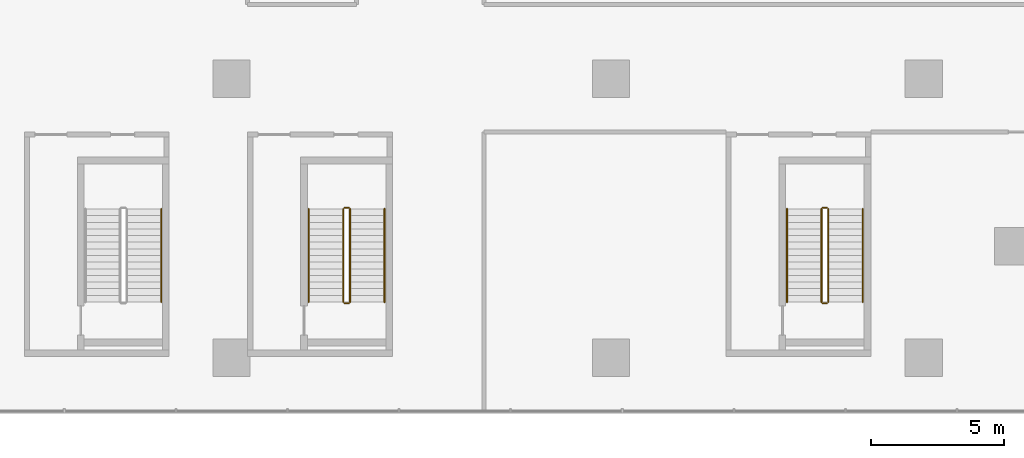
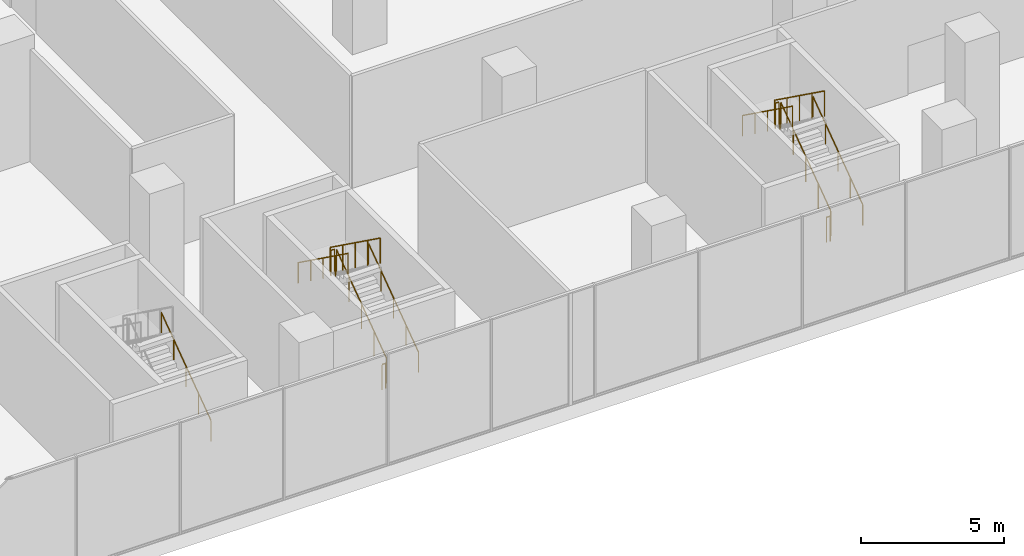
# One storey, part 21 of 24: 13 railings.
"""IFC4 building model written with IfcOpenShell, lengths in metres."""

from ifc_helpers import new_model, si_unit, direction, frame, origin, origin_2d, place, context, subcontext, project, spatial, circle, extrude, source, transform, mapped, material, type_object, element, save


model = new_model("IFC4")

# Units and contexts
model_context = context("Model", 3, precision=1e-05, world=origin(), true_north=direction((0.0, 1.0)))
body_context = subcontext(model_context, "Body", "Model", "MODEL_VIEW")
ifc_project = project(units=[si_unit("LENGTHUNIT", "METRE"), si_unit("AREAUNIT", "SQUARE_METRE"), si_unit("VOLUMEUNIT", "CUBIC_METRE"), si_unit("PLANEANGLEUNIT", "RADIAN"), si_unit("MASSUNIT", "GRAM", prefix="KILO")], contexts=[model_context])

# Site, building, storey
site_placement = place(None, origin())
site = spatial("IfcSite", under=ifc_project, at=site_placement, CompositionType="ELEMENT")
building_placement = place(site_placement, origin())
building = spatial("IfcBuilding", under=site, at=building_placement, Name="Aurelian Terraces", CompositionType="ELEMENT")
storey_placement = place(building_placement, frame((0.0, 0.0, 12.9)))
storey = spatial("IfcBuildingStorey", under=building, at=storey_placement, Name="L02", CompositionType="ELEMENT", Elevation=12.9)

# Railings
ifc_material = material(Name="Stainless steel", Category="steel")
railing_type_1 = type_object("IfcRailingType", Name="Stair guard 1100", PredefinedType="GUARDRAIL", material=ifc_material)
shared_shape_1 = source(origin(), body_context, "Body", "SweptSolid", [
    extrude(circle(Radius=0.024, at=origin_2d()), frame((0.0, 0.0, 1.076), z_axis=(-1.0, 0.0, 0.0), x_axis=(0.0, -1.0, 0.0)), (0.0, 0.0, 1.0), 0.15),
    extrude(circle(Radius=0.021, at=origin_2d()), origin(), (0.0, 0.0, 1.0), 1.052),
    extrude(circle(Radius=0.021, at=origin_2d()), frame((-0.15, 0.0, 0.0)), (0.0, 0.0, 1.0), 1.052),
])
for number, where, name in (
    (1, (42.2, 5.65, 2.7), "L02 S2 stair guard 2"),
    (2, (42.2, 2.05, 0.0), "L02 S2 stair guard 4"),
    (3, (60.2, 5.65, 2.7), "L02 S6 stair guard 2"),
    (4, (60.2, 2.05, 0.0), "L02 S6 stair guard 4"),
):
    element("IfcRailing", number, at=place(storey_placement, frame(where)), inside=storey, type_object=railing_type_1, Name=name, PredefinedType="GUARDRAIL", context=body_context, shape_type="MappedRepresentation", body=[
        mapped(shared_shape_1, transform((0.0, 0.0, 0.0), scale=1.0)),
    ])
shared_shape_2 = source(origin(), body_context, "Body", "SweptSolid", [
    extrude(circle(Radius=0.024, at=origin_2d()), frame((0.0, 0.0, 1.076), z_axis=(0.0, 0.811534341451, 0.584304725845), x_axis=(-1.0, 0.0, 0.0)), (0.0, 0.0, 1.0), 4.3128),
    extrude(circle(Radius=0.021, at=origin_2d()), origin(), (0.0, 0.0, 1.0), 1.052),
    extrude(circle(Radius=0.021, at=origin_2d()), frame((0.0, 0.875, 0.63)), (0.0, 0.0, 1.0), 1.052),
    extrude(circle(Radius=0.021, at=origin_2d()), frame((0.0, 1.75, 1.26)), (0.0, 0.0, 1.0), 1.052),
    extrude(circle(Radius=0.021, at=origin_2d()), frame((0.0, 2.625, 1.89)), (0.0, 0.0, 1.0), 1.052),
    extrude(circle(Radius=0.021, at=origin_2d()), frame((0.0, 3.5, 2.52)), (0.0, 0.0, 1.0), 1.052),
])
for number, where, name in (
    (5, (42.25, 2.1, 0.18), "L02 S2 stair guard 1"),
    (6, (60.25, 2.1, 0.18), "L02 S6 stair guard 1"),
):
    element("IfcRailing", number, at=place(storey_placement, frame(where)), inside=storey, type_object=railing_type_1, Name=name, PredefinedType="GUARDRAIL", context=body_context, shape_type="MappedRepresentation", body=[
        mapped(shared_shape_2, transform((0.0, 0.0, 0.0), scale=1.0)),
    ])
shared_shape_3 = source(origin(), body_context, "Body", "SweptSolid", [
    extrude(circle(Radius=0.024, at=origin_2d()), frame((0.0, 0.0, 1.076), z_axis=(0.0, -0.811534341451, 0.584304725845), x_axis=(1.0, 0.0, 0.0)), (0.0, 0.0, 1.0), 4.3128),
    extrude(circle(Radius=0.021, at=origin_2d()), origin(), (0.0, 0.0, 1.0), 1.052),
    extrude(circle(Radius=0.021, at=origin_2d()), frame((0.0, -0.875, 0.63)), (0.0, 0.0, 1.0), 1.052),
    extrude(circle(Radius=0.021, at=origin_2d()), frame((0.0, -1.75, 1.26)), (0.0, 0.0, 1.0), 1.052),
    extrude(circle(Radius=0.021, at=origin_2d()), frame((0.0, -2.625, 1.89)), (0.0, 0.0, 1.0), 1.052),
    extrude(circle(Radius=0.021, at=origin_2d()), frame((0.0, -3.5, 2.52)), (0.0, 0.0, 1.0), 1.052),
])
for number, where, name in (
    (7, (42.0, 5.6, 2.88), "L02 S2 stair guard 3"),
    (8, (60.0, 5.6, 2.88), "L02 S6 stair guard 3"),
):
    element("IfcRailing", number, at=place(storey_placement, frame(where)), inside=storey, type_object=railing_type_1, Name=name, PredefinedType="GUARDRAIL", context=body_context, shape_type="MappedRepresentation", body=[
        mapped(shared_shape_3, transform((0.0, 0.0, 0.0), scale=1.0)),
    ])
railing_type_2 = type_object("IfcRailingType", Name="Stair handrail", PredefinedType="HANDRAIL", material=ifc_material)
shared_shape_4 = source(origin(), body_context, "Body", "SweptSolid", [
    extrude(circle(Radius=0.024, at=origin_2d()), frame((0.0, 0.0, 0.876), z_axis=(0.0, 0.811534341451, 0.584304725845), x_axis=(-1.0, 0.0, 0.0)), (0.0, 0.0, 1.0), 4.3128),
    extrude(circle(Radius=0.021, at=origin_2d()), origin(), (0.0, 0.0, 1.0), 0.852),
    extrude(circle(Radius=0.021, at=origin_2d()), frame((0.0, 0.875, 0.63)), (0.0, 0.0, 1.0), 0.852),
    extrude(circle(Radius=0.021, at=origin_2d()), frame((0.0, 1.75, 1.26)), (0.0, 0.0, 1.0), 0.852),
    extrude(circle(Radius=0.021, at=origin_2d()), frame((0.0, 2.625, 1.89)), (0.0, 0.0, 1.0), 0.852),
    extrude(circle(Radius=0.021, at=origin_2d()), frame((0.0, 3.5, 2.52)), (0.0, 0.0, 1.0), 0.852),
])
for number, where, name in (
    (9, (43.55, 2.1, 0.18), "L02 S2 stair handrail 1"),
    (10, (61.55, 2.1, 0.18), "L02 S6 stair handrail 1"),
    (11, (35.15, 2.1, 0.18), "L02 S7 stair handrail 1"),
):
    element("IfcRailing", number, at=place(storey_placement, frame(where)), inside=storey, type_object=railing_type_2, Name=name, PredefinedType="HANDRAIL", context=body_context, shape_type="MappedRepresentation", body=[
        mapped(shared_shape_4, transform((0.0, 0.0, 0.0), scale=1.0)),
    ])
shared_shape_5 = source(origin(), body_context, "Body", "SweptSolid", [
    extrude(circle(Radius=0.024, at=origin_2d()), frame((0.0, 0.0, 0.876), z_axis=(0.0, -0.811534341451, 0.584304725845), x_axis=(1.0, 0.0, 0.0)), (0.0, 0.0, 1.0), 4.3128),
    extrude(circle(Radius=0.021, at=origin_2d()), origin(), (0.0, 0.0, 1.0), 0.852),
    extrude(circle(Radius=0.021, at=origin_2d()), frame((0.0, -0.875, 0.63)), (0.0, 0.0, 1.0), 0.852),
    extrude(circle(Radius=0.021, at=origin_2d()), frame((0.0, -1.75, 1.26)), (0.0, 0.0, 1.0), 0.852),
    extrude(circle(Radius=0.021, at=origin_2d()), frame((0.0, -2.625, 1.89)), (0.0, 0.0, 1.0), 0.852),
    extrude(circle(Radius=0.021, at=origin_2d()), frame((0.0, -3.5, 2.52)), (0.0, 0.0, 1.0), 0.852),
])
for number, where, name in (
    (12, (40.7, 5.6, 2.88), "L02 S2 stair handrail 2"),
    (13, (58.7, 5.6, 2.88), "L02 S6 stair handrail 2"),
):
    element("IfcRailing", number, at=place(storey_placement, frame(where)), inside=storey, type_object=railing_type_2, Name=name, PredefinedType="HANDRAIL", context=body_context, shape_type="MappedRepresentation", body=[
        mapped(shared_shape_5, transform((0.0, 0.0, 0.0), scale=1.0)),
    ])

save(model, "model.ifc")
